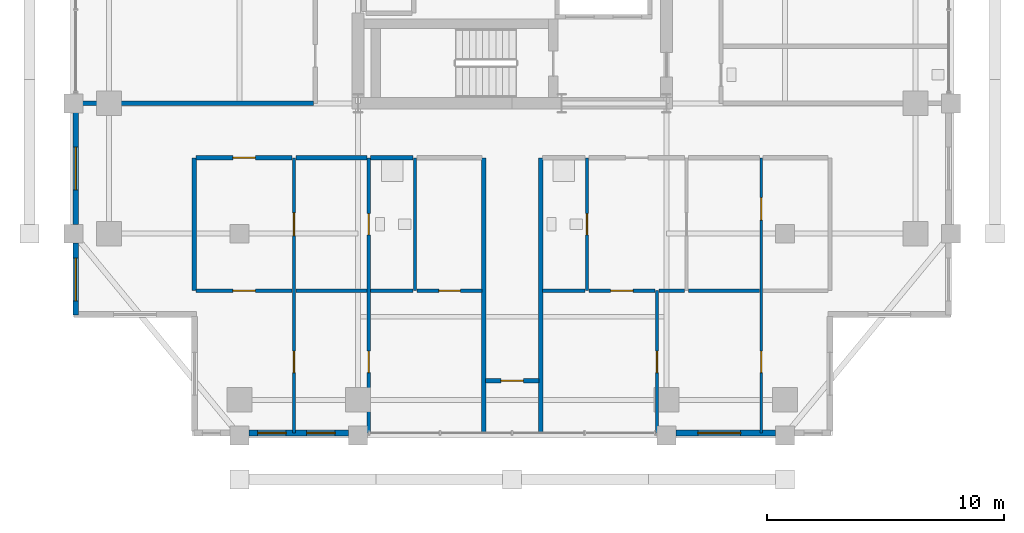
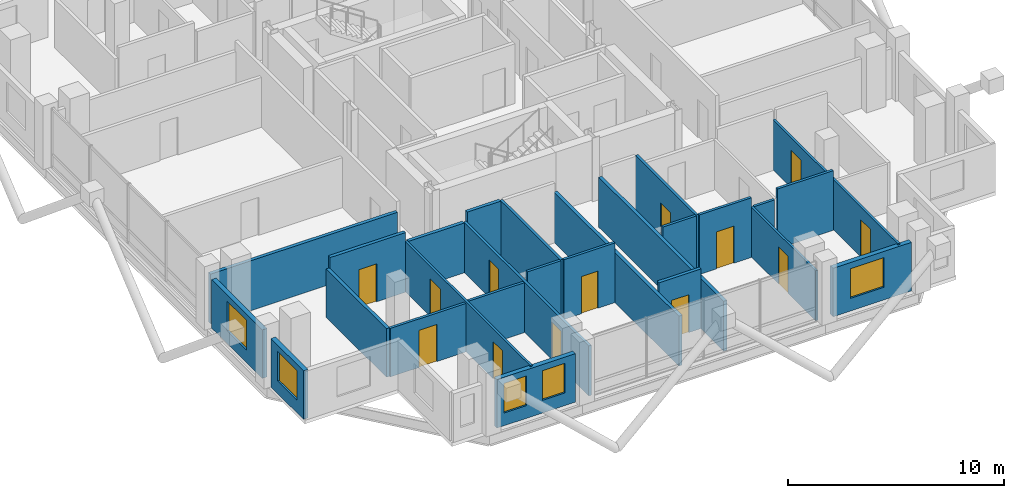
# One storey, part 18 of 24: 26 walls, 13 doors, 5 windows, 18 openings.
"""IFC4 building model written with IfcOpenShell, lengths in metres."""

from ifc_helpers import new_model, si_unit, direction, frame, frame_2d, origin, place, context, subcontext, project, spatial, rectangle, extrude, material, layer, layer_set, type_object, element, fill, save


model = new_model("IFC4")

# Units and contexts
model_context = context("Model", 3, precision=1e-05, world=origin(), true_north=direction((0.0, 1.0)))
body_context = subcontext(model_context, "Body", "Model", "MODEL_VIEW")
ifc_project = project(units=[si_unit("LENGTHUNIT", "METRE"), si_unit("AREAUNIT", "SQUARE_METRE"), si_unit("VOLUMEUNIT", "CUBIC_METRE"), si_unit("PLANEANGLEUNIT", "RADIAN"), si_unit("MASSUNIT", "GRAM", prefix="KILO")], contexts=[model_context])

# Site, building, storey
site_placement = place(None, origin())
site = spatial("IfcSite", under=ifc_project, at=site_placement, CompositionType="ELEMENT")
building_placement = place(site_placement, origin())
building = spatial("IfcBuilding", under=site, at=building_placement, Name="Barlavira Tower and Art Museum", CompositionType="ELEMENT")
storey_placement = place(building_placement, frame((0.0, 0.0, 194.39990234375)))
storey = spatial("IfcBuildingStorey", under=building, at=storey_placement, Name="L50", CompositionType="ELEMENT", Elevation=194.39990234375)

# Wall, openings, doors
ifc_material_1 = material(Name="Gypsum acoustic stud partition", Category="gypsum")
ifc_layer_1 = layer(ifc_material_1, 0.1201171875, Name="Gypsum acoustic stud partition")
ifc_layer_set_1 = layer_set([ifc_layer_1], Name="Gypsum acoustic stud partition")
wall_type_1 = type_object("IfcWallType", Name="Apartment Internal Acoustic Partition 120", PredefinedType="PARTITIONING", material=ifc_layer_set_1)
wall_1_placement = place(storey_placement, frame((-9.199951171875, -21.39990234375, 0.0), z_axis=(0.0, 0.0, 1.0), x_axis=(0.0, 1.0, 0.0)))
wall_1 = element("IfcWall", 1, at=wall_1_placement, inside=storey, type_object=wall_type_1, Name="L50 Partition Wall 3", PredefinedType="PARTITIONING", context=body_context, shape_type="SweptSolid", body=[
    extrude(rectangle(XDim=11.599853515625, YDim=0.1201171875, at=frame_2d((5.7998046875, 0.0))), origin(), (0.0, 0.0, 1.0), 2.826171875),
])
opening_1_placement = place(wall_1_placement, frame((8.324951171875, 0.0, 0.0)))
opening_1 = element("IfcOpeningElement", 2, at=opening_1_placement, cuts=wall_1, Name="Opening D-02", PredefinedType="OPENING", context=body_context, shape_type="SweptSolid", body=[
    extrude(rectangle(XDim=0.949951171875, YDim=2.10009765625, at=frame_2d((0.47509765625, 1.050048828125))), frame((0.0, 0.070068359375, 0.0), z_axis=(0.0, -1.0, 0.0), x_axis=(1.0, 0.0, 0.0)), (0.0, 0.0, 1.0), 0.14013671875),
])
opening_2_placement = place(wall_1_placement, frame((2.550048828125, 0.0, 0.0)))
opening_2 = element("IfcOpeningElement", 3, at=opening_2_placement, cuts=wall_1, Name="Opening D-01", PredefinedType="OPENING", context=body_context, shape_type="SweptSolid", body=[
    extrude(rectangle(XDim=0.89990234375, YDim=2.10009765625, at=frame_2d((0.449951171875, 1.050048828125))), frame((0.0, 0.070068359375, 0.0), z_axis=(0.0, -1.0, 0.0), x_axis=(1.0, 0.0, 0.0)), (0.0, 0.0, 1.0), 0.14013671875),
])
ifc_material_2 = material(Name="Engineered coastal hardwood", Category="wood")
door_type_1 = type_object("IfcDoorType", Name="Internal Bedroom Timber Flush Door 900x2100", OperationType="NOTDEFINED", PredefinedType="DOOR", material=ifc_material_2)
door_1_placement = place(opening_2_placement, origin())
door_1 = element("IfcDoor", 4, at=door_1_placement, inside=storey, type_object=door_type_1, Name="Apartment SW1 Bedroom 1 Door", OperationType="SINGLE_SWING_LEFT", OverallHeight=2.10009765625, OverallWidth=0.89990234375, PredefinedType="DOOR", context=body_context, shape_type="SweptSolid", body=[
    extrude(rectangle(XDim=0.89990234375, YDim=2.10009765625, at=frame_2d((0.449951171875, 1.050048828125))), frame((0.0, 0.02490234375, 0.0), z_axis=(0.0, -1.0, 0.0), x_axis=(1.0, 0.0, 0.0)), (0.0, 0.0, 1.0), 0.050048828125),
])
fill(opening_2, door_1)
door_type_2 = type_object("IfcDoorType", Name="Living and Salon Glazed-Leaf Door 950x2100", OperationType="NOTDEFINED", PredefinedType="DOOR", material=ifc_material_2)
door_2_placement = place(opening_1_placement, origin())
door_2 = element("IfcDoor", 5, at=door_2_placement, inside=storey, type_object=door_type_2, Name="Apartment SW1 Kitchen Door", OperationType="SINGLE_SWING_LEFT", OverallHeight=2.10009765625, OverallWidth=0.949951171875, PredefinedType="DOOR", context=body_context, shape_type="SweptSolid", body=[
    extrude(rectangle(XDim=0.949951171875, YDim=2.10009765625, at=frame_2d((0.47509765625, 1.050048828125))), frame((0.0, 0.02490234375, 0.0), z_axis=(0.0, -1.0, 0.0), x_axis=(1.0, 0.0, 0.0)), (0.0, 0.0, 1.0), 0.050048828125),
])
fill(opening_1, door_2)

# Wall, opening, door
wall_2_placement = place(storey_placement, frame((6.10009765625, -21.39990234375, 0.0), z_axis=(0.0, 0.0, 1.0), x_axis=(0.0, 1.0, 0.0)))
wall_2 = element("IfcWall", 6, at=wall_2_placement, inside=storey, type_object=wall_type_1, Name="L50 Partition Wall 19", PredefinedType="PARTITIONING", context=body_context, shape_type="SweptSolid", body=[
    extrude(rectangle(XDim=6.0, YDim=0.1201171875, at=frame_2d((3.0, 0.0))), origin(), (0.0, 0.0, 1.0), 2.826171875),
])
opening_3_placement = place(wall_2_placement, frame((2.550048828125, 0.0, 0.0)))
opening_3 = element("IfcOpeningElement", 7, at=opening_3_placement, cuts=wall_2, Name="Opening D-01", PredefinedType="OPENING", context=body_context, shape_type="SweptSolid", body=[
    extrude(rectangle(XDim=0.89990234375, YDim=2.10009765625, at=frame_2d((0.449951171875, 1.050048828125))), frame((0.0, 0.070068359375, 0.0), z_axis=(0.0, -1.0, 0.0), x_axis=(1.0, 0.0, 0.0)), (0.0, 0.0, 1.0), 0.14013671875),
])
door_3_placement = place(opening_3_placement, origin())
door_3 = element("IfcDoor", 8, at=door_3_placement, inside=storey, type_object=door_type_1, Name="Apartment SE1 Bedroom 1 Door", OperationType="SINGLE_SWING_RIGHT", OverallHeight=2.10009765625, OverallWidth=0.89990234375, PredefinedType="DOOR", context=body_context, shape_type="SweptSolid", body=[
    extrude(rectangle(XDim=0.89990234375, YDim=2.10009765625, at=frame_2d((0.449951171875, 1.050048828125))), frame((0.0, 0.02490234375, 0.0), z_axis=(0.0, -1.0, 0.0), x_axis=(1.0, 0.0, 0.0)), (0.0, 0.0, 1.0), 0.050048828125),
])
fill(opening_3, door_3)

# Wall, openings, doors
wall_3_placement = place(storey_placement, frame((10.5, -21.39990234375, 0.0), z_axis=(0.0, 0.0, 1.0), x_axis=(0.0, 1.0, 0.0)))
wall_3 = element("IfcWall", 9, at=wall_3_placement, inside=storey, type_object=wall_type_1, Name="L50 Partition Wall 24", PredefinedType="PARTITIONING", context=body_context, shape_type="SweptSolid", body=[
    extrude(rectangle(XDim=11.599853515625, YDim=0.1201171875, at=frame_2d((5.7998046875, 0.0))), origin(), (0.0, 0.0, 1.0), 2.826171875),
])
opening_4_placement = place(wall_3_placement, frame((8.973388671875, 0.0, 0.0)))
opening_4 = element("IfcOpeningElement", 10, at=opening_4_placement, cuts=wall_3, Name="Opening D-02", PredefinedType="OPENING", context=body_context, shape_type="SweptSolid", body=[
    extrude(rectangle(XDim=0.949951171875, YDim=2.10009765625, at=frame_2d((0.47509765625, 1.050048828125))), frame((0.0, 0.070068359375, 0.0), z_axis=(0.0, -1.0, 0.0), x_axis=(1.0, 0.0, 0.0)), (0.0, 0.0, 1.0), 0.14013671875),
])
opening_5_placement = place(wall_3_placement, frame((2.550048828125, 0.0, 0.0)))
opening_5 = element("IfcOpeningElement", 11, at=opening_5_placement, cuts=wall_3, Name="Opening D-01", PredefinedType="OPENING", context=body_context, shape_type="SweptSolid", body=[
    extrude(rectangle(XDim=0.89990234375, YDim=2.10009765625, at=frame_2d((0.449951171875, 1.050048828125))), frame((0.0, 0.070068359375, 0.0), z_axis=(0.0, -1.0, 0.0), x_axis=(1.0, 0.0, 0.0)), (0.0, 0.0, 1.0), 0.14013671875),
])
door_4_placement = place(opening_5_placement, origin())
door_4 = element("IfcDoor", 12, at=door_4_placement, inside=storey, type_object=door_type_1, Name="Apartment SE1 Bedroom 2 Door", OperationType="SINGLE_SWING_LEFT", OverallHeight=2.10009765625, OverallWidth=0.89990234375, PredefinedType="DOOR", context=body_context, shape_type="SweptSolid", body=[
    extrude(rectangle(XDim=0.89990234375, YDim=2.10009765625, at=frame_2d((0.449951171875, 1.050048828125))), frame((0.0, 0.02490234375, 0.0), z_axis=(0.0, -1.0, 0.0), x_axis=(1.0, 0.0, 0.0)), (0.0, 0.0, 1.0), 0.050048828125),
])
fill(opening_5, door_4)
door_5_placement = place(opening_4_placement, origin())
door_5 = element("IfcDoor", 13, at=door_5_placement, inside=storey, type_object=door_type_2, Name="Apartment SE1 Dining Salon Door", OperationType="SINGLE_SWING_RIGHT", OverallHeight=2.10009765625, OverallWidth=0.949951171875, PredefinedType="DOOR", context=body_context, shape_type="SweptSolid", body=[
    extrude(rectangle(XDim=0.949951171875, YDim=2.10009765625, at=frame_2d((0.47509765625, 1.050048828125))), frame((0.0, 0.02490234375, 0.0), z_axis=(0.0, -1.0, 0.0), x_axis=(1.0, 0.0, 0.0)), (0.0, 0.0, 1.0), 0.050048828125),
])
fill(opening_4, door_5)

# Walls
ifc_layer_2 = layer(ifc_material_1, 0.179931640625, Name="Gypsum acoustic stud partition")
ifc_layer_set_2 = layer_set([ifc_layer_2], Name="Gypsum acoustic stud partition")
wall_type_2 = type_object("IfcWallType", Name="Inter-Tenancy Party Partition Wall 180", PredefinedType="PARTITIONING", material=ifc_layer_set_2)
wall_4_placement = place(storey_placement, frame((-13.39990234375, -15.39990234375, 0.0), z_axis=(0.0, 0.0, 1.0), x_axis=(0.0, 1.0, 0.0)))
element("IfcWall", 14, at=wall_4_placement, inside=storey, type_object=wall_type_2, Name="L50 Partition Wall 1", PredefinedType="PARTITIONING", context=body_context, shape_type="SweptSolid", body=[
    extrude(rectangle(XDim=5.599853515625, YDim=0.179931640625, at=frame_2d((2.7998046875, 0.0))), origin(), (0.0, 0.0, 1.0), 2.748046875),
])
for number, where, z_axis, x_axis, name in (
    (15, (-1.199951171875, -21.39990234375, 0.0), (0.0, 0.0, 1.0), (0.0, 1.0, 0.0), "L50 Partition Wall 12"),
    (16, (1.199951171875, -21.39990234375, 0.0), (0.0, 0.0, 1.0), (0.0, 1.0, 0.0), "L50 Partition Wall 14"),
):
    element("IfcWall", number, at=place(storey_placement, frame(where, z_axis=z_axis, x_axis=x_axis)), inside=storey, type_object=wall_type_2, Name=name, PredefinedType="PARTITIONING", context=body_context, shape_type="SweptSolid", body=[
        extrude(rectangle(XDim=11.599853515625, YDim=0.179931640625, at=frame_2d((5.7998046875, 0.0))), origin(), (0.0, 0.0, 1.0), 2.826171875),
    ])

# Wall, opening, door
wall_5_placement = place(storey_placement, frame((-1.1201171875, -19.199951171875, 0.0), z_axis=(0.0, 0.0, 1.0), x_axis=(1.0, 0.0, 0.0)))
wall_5 = element("IfcWall", 17, at=wall_5_placement, inside=storey, type_object=wall_type_2, Name="L50 Partition Wall 28", PredefinedType="PARTITIONING", context=body_context, shape_type="SweptSolid", body=[
    extrude(rectangle(XDim=2.240234375, YDim=0.179931640625, at=frame_2d((1.1201171875, 0.0))), origin(), (0.0, 0.0, 1.0), 3.380126953125),
])
opening_6_placement = place(wall_5_placement, frame((0.64501953125, 0.0, 0.0)))
opening_6 = element("IfcOpeningElement", 18, at=opening_6_placement, cuts=wall_5, Name="Opening FD-60", PredefinedType="OPENING", context=body_context, shape_type="SweptSolid", body=[
    extrude(rectangle(XDim=0.949951171875, YDim=2.14990234375, at=frame_2d((0.47509765625, 1.074951171875))), frame((0.0, 0.10009765625, 0.0), z_axis=(0.0, -1.0, 0.0), x_axis=(1.0, 0.0, 0.0)), (0.0, 0.0, 1.0), 0.199951171875),
])
ifc_material_3 = material(Name="Brushed stainless steel", Category="steel")
door_type_3 = type_object("IfcDoorType", Name="Apartment Entrance and Riser Fire Door 950x2150 FD60S", OperationType="NOTDEFINED", PredefinedType="DOOR", material=ifc_material_3)
door_6_placement = place(opening_6_placement, origin())
door_6 = element("IfcDoor", 19, at=door_6_placement, inside=storey, type_object=door_type_3, Name="L50 South Horizon Reading Alcove Door", OperationType="SINGLE_SWING_LEFT", OverallHeight=2.14990234375, OverallWidth=0.949951171875, PredefinedType="DOOR", context=body_context, shape_type="SweptSolid", body=[
    extrude(rectangle(XDim=0.949951171875, YDim=2.14990234375, at=frame_2d((0.47509765625, 1.074951171875))), frame((0.0, 0.02490234375, 0.0), z_axis=(0.0, -1.0, 0.0), x_axis=(1.0, 0.0, 0.0)), (0.0, 0.0, 1.0), 0.050048828125),
])
fill(opening_6, door_6)

wall_6_placement = place(storey_placement, frame((-13.320068359375, -9.800048828125, 0.0), z_axis=(0.0, 0.0, 1.0), x_axis=(1.0, 0.0, 0.0)))
wall_6 = element("IfcWall", 20, at=wall_6_placement, inside=storey, type_object=wall_type_2, Name="L50 Partition Wall 38", PredefinedType="PARTITIONING", context=body_context, shape_type="SweptSolid", body=[
    extrude(rectangle(XDim=4.0400390625, YDim=0.179931640625, at=frame_2d((2.02001953125, 0.0))), origin(), (0.0, 0.0, 1.0), 3.380126953125),
])
opening_7_placement = place(wall_6_placement, frame((1.544921875, 0.0, 0.0)))
opening_7 = element("IfcOpeningElement", 21, at=opening_7_placement, cuts=wall_6, Name="Opening FD-60", PredefinedType="OPENING", context=body_context, shape_type="SweptSolid", body=[
    extrude(rectangle(XDim=0.949951171875, YDim=2.14990234375, at=frame_2d((0.47509765625, 1.074951171875))), frame((0.0, 0.10009765625, 0.0), z_axis=(0.0, -1.0, 0.0), x_axis=(1.0, 0.0, 0.0)), (0.0, 0.0, 1.0), 0.199951171875),
])
door_7_placement = place(opening_7_placement, origin())
door_7 = element("IfcDoor", 22, at=door_7_placement, inside=storey, type_object=door_type_3, Name="Apartment Entrance Hall SW1 Door", OperationType="SINGLE_SWING_RIGHT", OverallHeight=2.14990234375, OverallWidth=0.949951171875, PredefinedType="DOOR", context=body_context, shape_type="SweptSolid", body=[
    extrude(rectangle(XDim=0.949951171875, YDim=2.14990234375, at=frame_2d((0.47509765625, 1.074951171875))), frame((0.0, 0.02490234375, 0.0), z_axis=(0.0, -1.0, 0.0), x_axis=(1.0, 0.0, 0.0)), (0.0, 0.0, 1.0), 0.050048828125),
])
fill(opening_7, door_7)

# Walls
wall_7_placement = place(storey_placement, frame((-9.1201171875, -9.800048828125, 0.0), z_axis=(0.0, 0.0, 1.0), x_axis=(1.0, 0.0, 0.0)))
element("IfcWall", 23, at=wall_7_placement, inside=storey, type_object=wall_type_2, Name="L50 Partition Wall 39", PredefinedType="PARTITIONING", context=body_context, shape_type="SweptSolid", body=[
    extrude(rectangle(XDim=2.990234375, YDim=0.179931640625, at=frame_2d((1.4951171875, 0.0))), origin(), (0.0, 0.0, 1.0), 2.826171875),
])
wall_8_placement = place(storey_placement, frame((-5.969970703125, -9.800048828125, 0.0), z_axis=(0.0, 0.0, 1.0), x_axis=(1.0, 0.0, 0.0)))
element("IfcWall", 24, at=wall_8_placement, inside=storey, type_object=wall_type_2, Name="L50 Partition Wall 40", PredefinedType="PARTITIONING", context=body_context, shape_type="SweptSolid", body=[
    extrude(rectangle(XDim=1.7900390625, YDim=0.179931640625, at=frame_2d((0.89501953125, 0.0))), origin(), (0.0, 0.0, 1.0), 3.380126953125),
])
wall_9_placement = place(storey_placement, frame((-18.39990234375, -7.5, 0.0), z_axis=(0.0, 0.0, 1.0), x_axis=(1.0, 0.0, 0.0)))
element("IfcWall", 25, at=wall_9_placement, inside=storey, type_object=wall_type_2, Name="L50 Partition Wall 46", PredefinedType="PARTITIONING", context=body_context, shape_type="SweptSolid", body=[
    extrude(rectangle(XDim=10.02001953125, YDim=0.179931640625, at=frame_2d((5.010009765625, 0.0))), origin(), (0.0, 0.0, 1.0), 2.826171875),
])

# Wall, openings, doors
ifc_layer_3 = layer(ifc_material_1, 0.139892578125, Name="Gypsum acoustic stud partition")
ifc_layer_set_3 = layer_set([ifc_layer_3], Name="Gypsum acoustic stud partition")
wall_type_3 = type_object("IfcWallType", Name="Moisture-Resistant Bathroom Partition 140", PredefinedType="PARTITIONING", material=ifc_layer_set_3)
wall_10_placement = place(storey_placement, frame((-6.050048828125, -21.39990234375, 0.0), z_axis=(0.0, 0.0, 1.0), x_axis=(0.0, 1.0, 0.0)))
wall_10 = element("IfcWall", 26, at=wall_10_placement, inside=storey, type_object=wall_type_3, Name="L50 Partition Wall 7", PredefinedType="PARTITIONING", context=body_context, shape_type="SweptSolid", body=[
    extrude(rectangle(XDim=11.599853515625, YDim=0.139892578125, at=frame_2d((5.7998046875, 0.0))), origin(), (0.0, 0.0, 1.0), 2.826171875),
])
opening_8_placement = place(wall_10_placement, frame((8.35009765625, 0.0, 0.0)))
opening_8 = element("IfcOpeningElement", 27, at=opening_8_placement, cuts=wall_10, Name="Opening D-WC", PredefinedType="OPENING", context=body_context, shape_type="SweptSolid", body=[
    extrude(rectangle(XDim=0.89990234375, YDim=2.10009765625, at=frame_2d((0.449951171875, 1.050048828125))), frame((0.0, 0.080078125, 0.0), z_axis=(0.0, -1.0, 0.0), x_axis=(1.0, 0.0, 0.0)), (0.0, 0.0, 1.0), 0.159912109375),
])
opening_9_placement = place(wall_10_placement, frame((2.550048828125, 0.0, 0.0)))
opening_9 = element("IfcOpeningElement", 28, at=opening_9_placement, cuts=wall_10, Name="Opening D-01", PredefinedType="OPENING", context=body_context, shape_type="SweptSolid", body=[
    extrude(rectangle(XDim=0.89990234375, YDim=2.10009765625, at=frame_2d((0.449951171875, 1.050048828125))), frame((0.0, 0.080078125, 0.0), z_axis=(0.0, -1.0, 0.0), x_axis=(1.0, 0.0, 0.0)), (0.0, 0.0, 1.0), 0.159912109375),
])
door_type_4 = type_object("IfcDoorType", Name="Accessible Bathroom Flush Door 900x2100", OperationType="NOTDEFINED", PredefinedType="DOOR", material=ifc_material_2)
door_8_placement = place(opening_8_placement, origin())
door_8 = element("IfcDoor", 29, at=door_8_placement, inside=storey, type_object=door_type_4, Name="Apartment SW1 Hall Bathroom Door", OperationType="SINGLE_SWING_RIGHT", OverallHeight=2.10009765625, OverallWidth=0.89990234375, PredefinedType="DOOR", context=body_context, shape_type="SweptSolid", body=[
    extrude(rectangle(XDim=0.89990234375, YDim=2.10009765625, at=frame_2d((0.449951171875, 1.050048828125))), frame((0.0, 0.02490234375, 0.0), z_axis=(0.0, -1.0, 0.0), x_axis=(1.0, 0.0, 0.0)), (0.0, 0.0, 1.0), 0.050048828125),
])
fill(opening_8, door_8)
door_9_placement = place(opening_9_placement, origin())
door_9 = element("IfcDoor", 30, at=door_9_placement, inside=storey, type_object=door_type_1, Name="Apartment SW1 Bedroom 2 Door", OperationType="SINGLE_SWING_RIGHT", OverallHeight=2.10009765625, OverallWidth=0.89990234375, PredefinedType="DOOR", context=body_context, shape_type="SweptSolid", body=[
    extrude(rectangle(XDim=0.89990234375, YDim=2.10009765625, at=frame_2d((0.449951171875, 1.050048828125))), frame((0.0, 0.02490234375, 0.0), z_axis=(0.0, -1.0, 0.0), x_axis=(1.0, 0.0, 0.0)), (0.0, 0.0, 1.0), 0.050048828125),
])
fill(opening_9, door_9)

# Wall
wall_11_placement = place(storey_placement, frame((-4.10009765625, -15.39990234375, 0.0), z_axis=(0.0, 0.0, 1.0), x_axis=(0.0, 1.0, 0.0)))
element("IfcWall", 31, at=wall_11_placement, inside=storey, type_object=wall_type_3, Name="L50 Partition Wall 10", PredefinedType="PARTITIONING", context=body_context, shape_type="SweptSolid", body=[
    extrude(rectangle(XDim=5.599853515625, YDim=0.139892578125, at=frame_2d((2.7998046875, 0.0))), origin(), (0.0, 0.0, 1.0), 3.380126953125),
])

# Wall, opening, door
wall_12_placement = place(storey_placement, frame((3.14990234375, -15.39990234375, 0.0), z_axis=(0.0, 0.0, 1.0), x_axis=(0.0, 1.0, 0.0)))
wall_12 = element("IfcWall", 32, at=wall_12_placement, inside=storey, type_object=wall_type_3, Name="L50 Partition Wall 16", PredefinedType="PARTITIONING", context=body_context, shape_type="SweptSolid", body=[
    extrude(rectangle(XDim=5.599853515625, YDim=0.139892578125, at=frame_2d((2.7998046875, 0.0))), origin(), (0.0, 0.0, 1.0), 3.380126953125),
])
opening_10_placement = place(wall_12_placement, frame((2.35009765625, 0.0, 0.0)))
opening_10 = element("IfcOpeningElement", 33, at=opening_10_placement, cuts=wall_12, Name="Opening D-WC", PredefinedType="OPENING", context=body_context, shape_type="SweptSolid", body=[
    extrude(rectangle(XDim=0.89990234375, YDim=2.10009765625, at=frame_2d((0.449951171875, 1.050048828125))), frame((0.0, 0.080078125, 0.0), z_axis=(0.0, -1.0, 0.0), x_axis=(1.0, 0.0, 0.0)), (0.0, 0.0, 1.0), 0.159912109375),
])
door_10_placement = place(opening_10_placement, origin())
door_10 = element("IfcDoor", 34, at=door_10_placement, inside=storey, type_object=door_type_4, Name="Apartment SE1 Hall Bathroom Door", OperationType="SINGLE_SWING_LEFT", OverallHeight=2.10009765625, OverallWidth=0.89990234375, PredefinedType="DOOR", context=body_context, shape_type="SweptSolid", body=[
    extrude(rectangle(XDim=0.89990234375, YDim=2.10009765625, at=frame_2d((0.449951171875, 1.050048828125))), frame((0.0, 0.02490234375, 0.0), z_axis=(0.0, -1.0, 0.0), x_axis=(1.0, 0.0, 0.0)), (0.0, 0.0, 1.0), 0.050048828125),
])
fill(opening_10, door_10)

wall_13_placement = place(storey_placement, frame((-13.320068359375, -15.39990234375, 0.0), z_axis=(0.0, 0.0, 1.0), x_axis=(1.0, 0.0, 0.0)))
wall_13 = element("IfcWall", 35, at=wall_13_placement, inside=storey, type_object=wall_type_3, Name="L50 Partition Wall 29", PredefinedType="PARTITIONING", context=body_context, shape_type="SweptSolid", body=[
    extrude(rectangle(XDim=4.0400390625, YDim=0.139892578125, at=frame_2d((2.02001953125, 0.0))), origin(), (0.0, 0.0, 1.0), 2.748046875),
])
opening_11_placement = place(wall_13_placement, frame((1.544921875, 0.0, 0.0)))
opening_11 = element("IfcOpeningElement", 36, at=opening_11_placement, cuts=wall_13, Name="Opening D-02", PredefinedType="OPENING", context=body_context, shape_type="SweptSolid", body=[
    extrude(rectangle(XDim=0.949951171875, YDim=2.10009765625, at=frame_2d((0.47509765625, 1.050048828125))), frame((0.0, 0.080078125, 0.0), z_axis=(0.0, -1.0, 0.0), x_axis=(1.0, 0.0, 0.0)), (0.0, 0.0, 1.0), 0.159912109375),
])
door_11_placement = place(opening_11_placement, origin())
door_11 = element("IfcDoor", 37, at=door_11_placement, inside=storey, type_object=door_type_2, Name="Apartment SW1 Living Lounge Door", OperationType="SINGLE_SWING_RIGHT", OverallHeight=2.10009765625, OverallWidth=0.949951171875, PredefinedType="DOOR", context=body_context, shape_type="SweptSolid", body=[
    extrude(rectangle(XDim=0.949951171875, YDim=2.10009765625, at=frame_2d((0.47509765625, 1.050048828125))), frame((0.0, 0.02490234375, 0.0), z_axis=(0.0, -1.0, 0.0), x_axis=(1.0, 0.0, 0.0)), (0.0, 0.0, 1.0), 0.050048828125),
])
fill(opening_11, door_11)

# Walls
wall_14_placement = place(storey_placement, frame((-9.1201171875, -15.39990234375, 0.0), z_axis=(0.0, 0.0, 1.0), x_axis=(1.0, 0.0, 0.0)))
element("IfcWall", 38, at=wall_14_placement, inside=storey, type_object=wall_type_3, Name="L50 Partition Wall 30", PredefinedType="PARTITIONING", context=body_context, shape_type="SweptSolid", body=[
    extrude(rectangle(XDim=2.990234375, YDim=0.139892578125, at=frame_2d((1.4951171875, 0.0))), origin(), (0.0, 0.0, 1.0), 2.826171875),
])
wall_15_placement = place(storey_placement, frame((-5.969970703125, -15.39990234375, 0.0), z_axis=(0.0, 0.0, 1.0), x_axis=(1.0, 0.0, 0.0)))
element("IfcWall", 39, at=wall_15_placement, inside=storey, type_object=wall_type_3, Name="L50 Partition Wall 31", PredefinedType="PARTITIONING", context=body_context, shape_type="SweptSolid", body=[
    extrude(rectangle(XDim=1.7900390625, YDim=0.139892578125, at=frame_2d((0.89501953125, 0.0))), origin(), (0.0, 0.0, 1.0), 3.380126953125),
])

# Wall, opening, door
wall_16_placement = place(storey_placement, frame((-4.02001953125, -15.39990234375, 0.0), z_axis=(0.0, 0.0, 1.0), x_axis=(1.0, 0.0, 0.0)))
wall_16 = element("IfcWall", 40, at=wall_16_placement, inside=storey, type_object=wall_type_3, Name="L50 Partition Wall 32", PredefinedType="PARTITIONING", context=body_context, shape_type="SweptSolid", body=[
    extrude(rectangle(XDim=2.739990234375, YDim=0.139892578125, at=frame_2d((1.3701171875, 0.0))), origin(), (0.0, 0.0, 1.0), 3.380126953125),
])
opening_12_placement = place(wall_16_placement, frame((0.929931640625, 0.0, 0.0)))
opening_12 = element("IfcOpeningElement", 41, at=opening_12_placement, cuts=wall_16, Name="Opening D-01", PredefinedType="OPENING", context=body_context, shape_type="SweptSolid", body=[
    extrude(rectangle(XDim=0.89990234375, YDim=2.10009765625, at=frame_2d((0.449951171875, 1.050048828125))), frame((0.0, 0.080078125, 0.0), z_axis=(0.0, -1.0, 0.0), x_axis=(1.0, 0.0, 0.0)), (0.0, 0.0, 1.0), 0.159912109375),
])
door_12_placement = place(opening_12_placement, origin())
door_12 = element("IfcDoor", 42, at=door_12_placement, inside=storey, type_object=door_type_1, Name="Apartment SW1 Study Door", OperationType="SINGLE_SWING_LEFT", OverallHeight=2.10009765625, OverallWidth=0.89990234375, PredefinedType="DOOR", context=body_context, shape_type="SweptSolid", body=[
    extrude(rectangle(XDim=0.89990234375, YDim=2.10009765625, at=frame_2d((0.449951171875, 1.050048828125))), frame((0.0, 0.02490234375, 0.0), z_axis=(0.0, -1.0, 0.0), x_axis=(1.0, 0.0, 0.0)), (0.0, 0.0, 1.0), 0.050048828125),
])
fill(opening_12, door_12)

# Wall
wall_17_placement = place(storey_placement, frame((1.280029296875, -15.39990234375, 0.0), z_axis=(0.0, 0.0, 1.0), x_axis=(1.0, 0.0, 0.0)))
element("IfcWall", 43, at=wall_17_placement, inside=storey, type_object=wall_type_3, Name="L50 Partition Wall 33", PredefinedType="PARTITIONING", context=body_context, shape_type="SweptSolid", body=[
    extrude(rectangle(XDim=1.7900390625, YDim=0.139892578125, at=frame_2d((0.89501953125, 0.0))), origin(), (0.0, 0.0, 1.0), 3.380126953125),
])

# Wall, opening, door
wall_18_placement = place(storey_placement, frame((3.22998046875, -15.39990234375, 0.0), z_axis=(0.0, 0.0, 1.0), x_axis=(1.0, 0.0, 0.0)))
wall_18 = element("IfcWall", 44, at=wall_18_placement, inside=storey, type_object=wall_type_3, Name="L50 Partition Wall 34", PredefinedType="PARTITIONING", context=body_context, shape_type="SweptSolid", body=[
    extrude(rectangle(XDim=2.7900390625, YDim=0.139892578125, at=frame_2d((1.39501953125, 0.0))), origin(), (0.0, 0.0, 1.0), 3.380126953125),
])
opening_13_placement = place(wall_18_placement, frame((0.9150390625, 0.0, 0.0)))
opening_13 = element("IfcOpeningElement", 45, at=opening_13_placement, cuts=wall_18, Name="Opening D-02", PredefinedType="OPENING", context=body_context, shape_type="SweptSolid", body=[
    extrude(rectangle(XDim=0.949951171875, YDim=2.10009765625, at=frame_2d((0.47509765625, 1.050048828125))), frame((0.0, 0.080078125, 0.0), z_axis=(0.0, -1.0, 0.0), x_axis=(1.0, 0.0, 0.0)), (0.0, 0.0, 1.0), 0.159912109375),
])
door_13_placement = place(opening_13_placement, origin())
door_13 = element("IfcDoor", 46, at=door_13_placement, inside=storey, type_object=door_type_2, Name="Apartment SE1 Living Lounge Door", OperationType="SINGLE_SWING_LEFT", OverallHeight=2.10009765625, OverallWidth=0.949951171875, PredefinedType="DOOR", context=body_context, shape_type="SweptSolid", body=[
    extrude(rectangle(XDim=0.949951171875, YDim=2.10009765625, at=frame_2d((0.47509765625, 1.050048828125))), frame((0.0, 0.02490234375, 0.0), z_axis=(0.0, -1.0, 0.0), x_axis=(1.0, 0.0, 0.0)), (0.0, 0.0, 1.0), 0.050048828125),
])
fill(opening_13, door_13)

# Walls
wall_19_placement = place(storey_placement, frame((6.179931640625, -15.39990234375, 0.0), z_axis=(0.0, 0.0, 1.0), x_axis=(1.0, 0.0, 0.0)))
element("IfcWall", 47, at=wall_19_placement, inside=storey, type_object=wall_type_3, Name="L50 Partition Wall 35", PredefinedType="PARTITIONING", context=body_context, shape_type="SweptSolid", body=[
    extrude(rectangle(XDim=1.090087890625, YDim=0.139892578125, at=frame_2d((0.544921875, 0.0))), origin(), (0.0, 0.0, 1.0), 2.826171875),
])
wall_20_placement = place(storey_placement, frame((7.429931640625, -15.39990234375, 0.0), z_axis=(0.0, 0.0, 1.0), x_axis=(1.0, 0.0, 0.0)))
element("IfcWall", 48, at=wall_20_placement, inside=storey, type_object=wall_type_3, Name="L50 Partition Wall 36", PredefinedType="PARTITIONING", context=body_context, shape_type="SweptSolid", body=[
    extrude(rectangle(XDim=2.989990234375, YDim=0.139892578125, at=frame_2d((1.4951171875, 0.0))), origin(), (0.0, 0.0, 1.0), 3.380126953125),
])

# Wall, openings, windows
ifc_material_4 = material(Name="Precast concrete C40", Category="concrete")
ifc_layer_4 = layer(ifc_material_4, 0.25, Name="Precast concrete C40")
ifc_layer_set_4 = layer_set([ifc_layer_4], Name="Precast concrete C40")
wall_type_4 = type_object("IfcWallType", Name="Notched Corner Spandrel Wall 250 Precast Concrete C40", PredefinedType="SOLIDWALL", material=ifc_layer_set_4)
wall_21_placement = place(storey_placement, frame((-11.10498046875, -21.39990234375, 0.0), z_axis=(0.0, 0.0, 1.0), x_axis=(1.0, 0.0, 0.0)))
wall_21 = element("IfcWall", 49, at=wall_21_placement, inside=storey, type_object=wall_type_4, Name="L50 Coastal Facade Pier Wall CW3-L50-S-2", PredefinedType="SOLIDWALL", context=body_context, shape_type="SweptSolid", body=[
    extrude(rectangle(XDim=4.2099609375, YDim=0.25, at=frame_2d((2.10498046875, 0.0))), origin(), (0.0, 0.0, 1.0), 2.748046875),
])
opening_14_placement = place(wall_21_placement, frame((0.375, 0.0, 0.719970703125)))
opening_14 = element("IfcOpeningElement", 50, at=opening_14_placement, cuts=wall_21, Name="Opening WN-05", PredefinedType="OPENING", context=body_context, shape_type="SweptSolid", body=[
    extrude(rectangle(XDim=1.199951171875, YDim=1.679931640625, at=frame_2d((0.60009765625, 0.83984375))), frame((0.0, 0.135009765625, 0.0), z_axis=(0.0, -1.0, 0.0), x_axis=(1.0, 0.0, 0.0)), (0.0, 0.0, 1.0), 0.27001953125),
])
opening_15_placement = place(wall_21_placement, frame((2.43505859375, 0.0, 0.719970703125)))
opening_15 = element("IfcOpeningElement", 51, at=opening_15_placement, cuts=wall_21, Name="Opening WN-05", PredefinedType="OPENING", context=body_context, shape_type="SweptSolid", body=[
    extrude(rectangle(XDim=1.199951171875, YDim=1.679931640625, at=frame_2d((0.60009765625, 0.83984375))), frame((0.0, 0.135009765625, 0.0), z_axis=(0.0, -1.0, 0.0), x_axis=(1.0, 0.0, 0.0)), (0.0, 0.0, 1.0), 0.27001953125),
])
ifc_material_5 = material(Name="Low-iron coastal laminated glass", Category="glass")
window_type_1 = type_object("IfcWindowType", Name="Recessed Flank Pier Punch Window 1200x1680", PartitioningType="SINGLE_PANEL", PredefinedType="WINDOW", material=ifc_material_5)
window_1_placement = place(opening_14_placement, origin())
window_1 = element("IfcWindow", 52, at=window_1_placement, inside=storey, type_object=window_type_1, Name="L50 Punched Facade Window EWP-CW3-L50-S-2-1", OverallHeight=1.679931640625, OverallWidth=1.199951171875, PartitioningType="SINGLE_PANEL", PredefinedType="WINDOW", context=body_context, shape_type="SweptSolid", body=[
    extrude(rectangle(XDim=1.199951171875, YDim=1.679931640625, at=frame_2d((0.60009765625, 0.83984375))), frame((0.0, 0.030029296875, 0.0), z_axis=(0.0, -1.0, 0.0), x_axis=(1.0, 0.0, 0.0)), (0.0, 0.0, 1.0), 0.06005859375),
])
fill(opening_14, window_1)
window_2_placement = place(opening_15_placement, origin())
window_2 = element("IfcWindow", 53, at=window_2_placement, inside=storey, type_object=window_type_1, Name="L50 Punched Facade Window EWP-CW3-L50-S-2-2", OverallHeight=1.679931640625, OverallWidth=1.199951171875, PartitioningType="SINGLE_PANEL", PredefinedType="WINDOW", context=body_context, shape_type="SweptSolid", body=[
    extrude(rectangle(XDim=1.199951171875, YDim=1.679931640625, at=frame_2d((0.60009765625, 0.83984375))), frame((0.0, 0.030029296875, 0.0), z_axis=(0.0, -1.0, 0.0), x_axis=(1.0, 0.0, 0.0)), (0.0, 0.0, 1.0), 0.06005859375),
])
fill(opening_15, window_2)

# Wall, opening, window
wall_22_placement = place(storey_placement, frame((6.89501953125, -21.39990234375, 0.0), z_axis=(0.0, 0.0, 1.0), x_axis=(1.0, 0.0, 0.0)))
wall_22 = element("IfcWall", 54, at=wall_22_placement, inside=storey, type_object=wall_type_4, Name="L50 Coastal Facade Pier Wall CW3-L50-S-4", PredefinedType="SOLIDWALL", context=body_context, shape_type="SweptSolid", body=[
    extrude(rectangle(XDim=4.2099609375, YDim=0.25, at=frame_2d((2.10498046875, 0.0))), origin(), (0.0, 0.0, 1.0), 2.748046875),
])
opening_16_placement = place(wall_22_placement, frame((0.93505859375, 0.0, 0.719970703125)))
opening_16 = element("IfcOpeningElement", 55, at=opening_16_placement, cuts=wall_22, Name="Opening WN-01", PredefinedType="OPENING", context=body_context, shape_type="SweptSolid", body=[
    extrude(rectangle(XDim=1.800048828125, YDim=1.679931640625, at=frame_2d((0.89990234375, 0.83984375))), frame((0.0, 0.135009765625, 0.0), z_axis=(0.0, -1.0, 0.0), x_axis=(1.0, 0.0, 0.0)), (0.0, 0.0, 1.0), 0.27001953125),
])
window_type_2 = type_object("IfcWindowType", Name="Recessed Notch Corner Punch Window 1800x1680", PartitioningType="SINGLE_PANEL", PredefinedType="WINDOW", material=ifc_material_5)
window_3_placement = place(opening_16_placement, origin())
window_3 = element("IfcWindow", 56, at=window_3_placement, inside=storey, type_object=window_type_2, Name="L50 Punched Facade Window EWP-CW3-L50-S-4-1", OverallHeight=1.679931640625, OverallWidth=1.800048828125, PartitioningType="SINGLE_PANEL", PredefinedType="WINDOW", context=body_context, shape_type="SweptSolid", body=[
    extrude(rectangle(XDim=1.800048828125, YDim=1.679931640625, at=frame_2d((0.89990234375, 0.83984375))), frame((0.0, 0.030029296875, 0.0), z_axis=(0.0, -1.0, 0.0), x_axis=(1.0, 0.0, 0.0)), (0.0, 0.0, 1.0), 0.06005859375),
])
fill(opening_16, window_3)

wall_23_placement = place(storey_placement, frame((-18.39990234375, -7.89501953125, 0.0), z_axis=(0.0, 0.0, 1.0), x_axis=(0.0, -1.0, 0.0)))
wall_23 = element("IfcWall", 57, at=wall_23_placement, inside=storey, type_object=wall_type_4, Name="L50 Coastal Facade Pier Wall CW3-L50-W-4", PredefinedType="SOLIDWALL", context=body_context, shape_type="SweptSolid", body=[
    extrude(rectangle(XDim=4.7099609375, YDim=0.25, at=frame_2d((2.35498046875, 0.0))), origin(), (0.0, 0.0, 1.0), 2.748046875),
])
opening_17_placement = place(wall_23_placement, frame((1.455078125, 0.0, 0.719970703125)))
opening_17 = element("IfcOpeningElement", 58, at=opening_17_placement, cuts=wall_23, Name="Opening WN-01", PredefinedType="OPENING", context=body_context, shape_type="SweptSolid", body=[
    extrude(rectangle(XDim=1.800048828125, YDim=1.679931640625, at=frame_2d((0.89990234375, 0.83984375))), frame((0.0, 0.135009765625, 0.0), z_axis=(0.0, -1.0, 0.0), x_axis=(1.0, 0.0, 0.0)), (0.0, 0.0, 1.0), 0.27001953125),
])
window_4_placement = place(opening_17_placement, origin())
window_4 = element("IfcWindow", 59, at=window_4_placement, inside=storey, type_object=window_type_2, Name="L50 Punched Facade Window EWP-CW3-L50-W-4-1", OverallHeight=1.679931640625, OverallWidth=1.800048828125, PartitioningType="SINGLE_PANEL", PredefinedType="WINDOW", context=body_context, shape_type="SweptSolid", body=[
    extrude(rectangle(XDim=1.800048828125, YDim=1.679931640625, at=frame_2d((0.89990234375, 0.83984375))), frame((0.0, 0.030029296875, 0.0), z_axis=(0.0, -1.0, 0.0), x_axis=(1.0, 0.0, 0.0)), (0.0, 0.0, 1.0), 0.06005859375),
])
fill(opening_17, window_4)

wall_24_placement = place(storey_placement, frame((-18.39990234375, -13.39501953125, 0.0), z_axis=(0.0, 0.0, 1.0), x_axis=(0.0, -1.0, 0.0)))
wall_24 = element("IfcWall", 60, at=wall_24_placement, inside=storey, type_object=wall_type_4, Name="L50 Coastal Facade Pier Wall CW3-L50-W-5", PredefinedType="SOLIDWALL", context=body_context, shape_type="SweptSolid", body=[
    extrude(rectangle(XDim=3.030029296875, YDim=0.25, at=frame_2d((1.51513671875, 0.0))), origin(), (0.0, 0.0, 1.0), 2.748046875),
])
opening_18_placement = place(wall_24_placement, frame((0.637939453125, 0.0, 0.719970703125)))
opening_18 = element("IfcOpeningElement", 61, at=opening_18_placement, cuts=wall_24, Name="Opening WN-01", PredefinedType="OPENING", context=body_context, shape_type="SweptSolid", body=[
    extrude(rectangle(XDim=1.800048828125, YDim=1.679931640625, at=frame_2d((0.89990234375, 0.83984375))), frame((0.0, 0.135009765625, 0.0), z_axis=(0.0, -1.0, 0.0), x_axis=(1.0, 0.0, 0.0)), (0.0, 0.0, 1.0), 0.27001953125),
])
window_5_placement = place(opening_18_placement, origin())
window_5 = element("IfcWindow", 62, at=window_5_placement, inside=storey, type_object=window_type_2, Name="L50 Punched Facade Window EWP-CW3-L50-W-5-1", OverallHeight=1.679931640625, OverallWidth=1.800048828125, PartitioningType="SINGLE_PANEL", PredefinedType="WINDOW", context=body_context, shape_type="SweptSolid", body=[
    extrude(rectangle(XDim=1.800048828125, YDim=1.679931640625, at=frame_2d((0.89990234375, 0.83984375))), frame((0.0, 0.030029296875, 0.0), z_axis=(0.0, -1.0, 0.0), x_axis=(1.0, 0.0, 0.0)), (0.0, 0.0, 1.0), 0.06005859375),
])
fill(opening_18, window_5)

save(model, "model.ifc")
